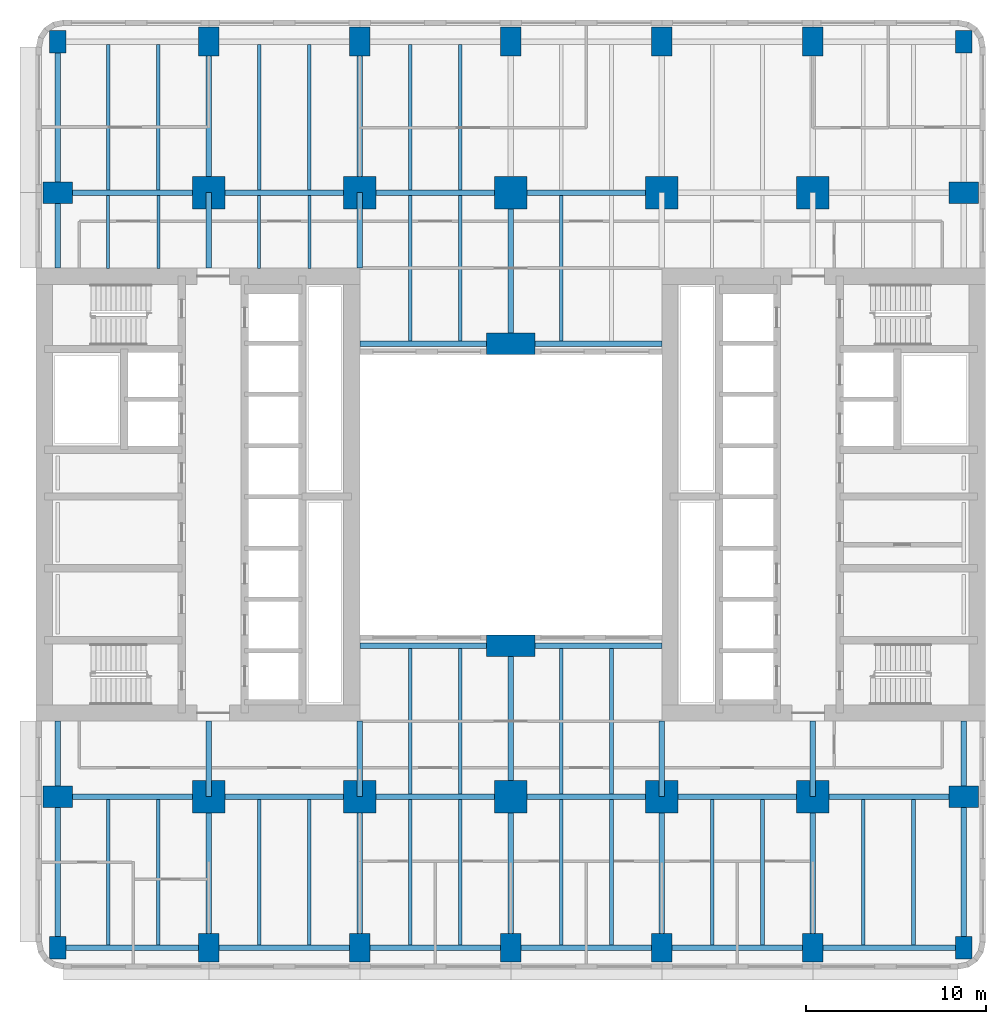
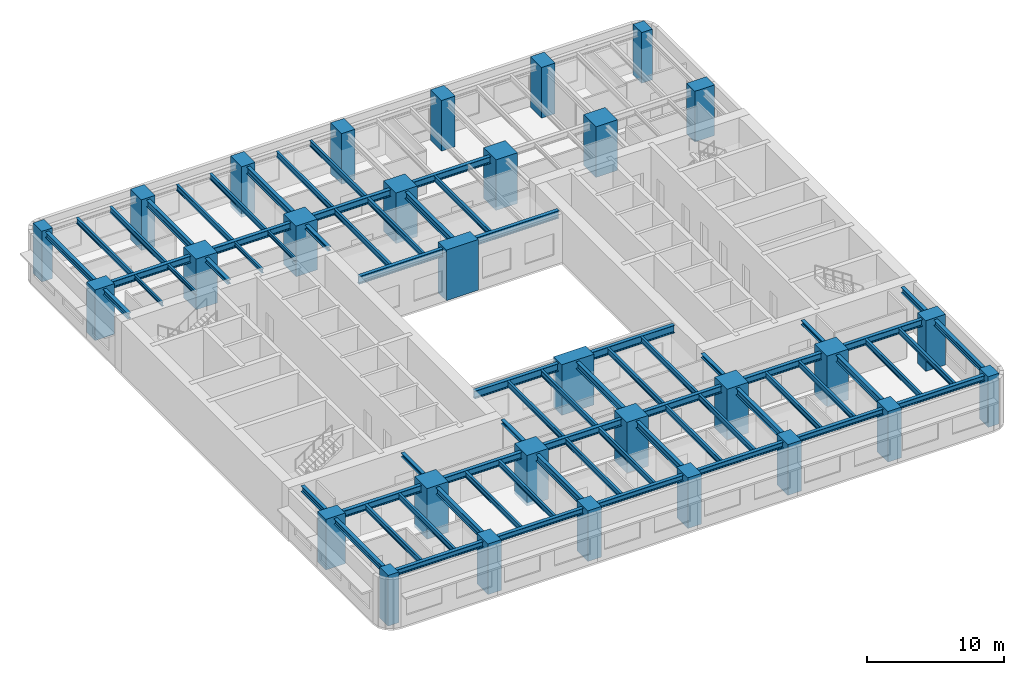
# One storey, part 1 of 12: 70 beams, 30 columns.
"""IFC4 building model written with IfcOpenShell, lengths in metres."""

from ifc_helpers import new_model, si_unit, direction, frame, origin, origin_2d, place, context, subcontext, project, spatial, rectangle, i_section, extrude, material, material_profile, profile_set, type_object, element, save


model = new_model("IFC4")

# Units and contexts
model_context = context("Model", 3, precision=1e-05, world=origin(), true_north=direction((0.0, 1.0)))
body_context = subcontext(model_context, "Body", "Model", "MODEL_VIEW")
ifc_project = project(units=[si_unit("LENGTHUNIT", "METRE"), si_unit("AREAUNIT", "SQUARE_METRE"), si_unit("VOLUMEUNIT", "CUBIC_METRE"), si_unit("PLANEANGLEUNIT", "RADIAN"), si_unit("MASSUNIT", "GRAM", prefix="KILO")], contexts=[model_context])

# Site, building, storey
site_placement = place(None, origin())
site = spatial("IfcSite", under=ifc_project, at=site_placement, CompositionType="ELEMENT")
building_placement = place(site_placement, origin())
building = spatial("IfcBuilding", under=site, at=building_placement, Name="Claustro Exchange Tower", CompositionType="ELEMENT")
storey_placement = place(building_placement, frame((0.0, 0.0, 63.89990234375)))
storey = spatial("IfcBuildingStorey", under=building, at=storey_placement, Name="L14", CompositionType="ELEMENT", Elevation=63.89990234375)

# Columns
ifc_material_1 = material(Name="Concrete HA-70 (C70/85)", Category="concrete")
ifc_material_profile_1 = material_profile(ifc_material_1, rectangle(XDim=1.800048828125, YDim=1.800048828125, at=origin_2d()), Name="RC 1800x1800")
ifc_profile_set_1 = profile_set([ifc_material_profile_1], Name="Concrete HA-70 (C70/85)")
column_type_1 = type_object("IfcColumnType", Name="C14 RC 1800x1800 HA-70 column", PredefinedType="COLUMN", material=ifc_profile_set_1)
for number, where, z_axis, x_axis, name in (
    (1, (8.39990234375, 8.39990234375, 0.0), (0.0, 0.0, 1.0), (1.0, 0.0, 0.0), "Column C14 2/B L14"),
    (2, (8.39990234375, 42.0, 0.0), (0.0, 0.0, 1.0), (1.0, 0.0, 0.0), "Column C14 2/F L14"),
    (3, (16.800048828125, 8.39990234375, 0.0), (0.0, 0.0, 1.0), (1.0, 0.0, 0.0), "Column C14 3/B L14"),
    (4, (16.800048828125, 42.0, 0.0), (0.0, 0.0, 1.0), (1.0, 0.0, 0.0), "Column C14 3/F L14"),
    (5, (25.199951171875, 8.39990234375, 0.0), (0.0, 0.0, 1.0), (1.0, 0.0, 0.0), "Column C14 4/B L14"),
    (6, (25.199951171875, 42.0, 0.0), (0.0, 0.0, 1.0), (1.0, 0.0, 0.0), "Column C14 4/F L14"),
    (7, (33.60009765625, 8.39990234375, 0.0), (0.0, 0.0, 1.0), (1.0, 0.0, 0.0), "Column C14 5/B L14"),
    (8, (33.60009765625, 42.0, 0.0), (0.0, 0.0, 1.0), (1.0, 0.0, 0.0), "Column C14 5/F L14"),
    (9, (42.0, 8.39990234375, 0.0), (0.0, 0.0, 1.0), (1.0, 0.0, 0.0), "Column C14 6/B L14"),
    (10, (42.0, 42.0, 0.0), (0.0, 0.0, 1.0), (1.0, 0.0, 0.0), "Column C14 6/F L14"),
):
    element("IfcColumn", number, at=place(storey_placement, frame(where, z_axis=z_axis, x_axis=x_axis)), inside=storey, type_object=column_type_1, Name=name, PredefinedType="COLUMN", context=body_context, shape_type="SweptSolid", body=[
        extrude(rectangle(XDim=1.800048828125, YDim=1.800048828125, at=origin_2d()), origin(), (0.0, 0.0, 1.0), 4.5),
    ])
ifc_material_2 = material(Name="Concrete HA-70 (C70/85)", Category="concrete")
ifc_material_profile_2 = material_profile(ifc_material_2, rectangle(XDim=1.199951171875, YDim=1.64990234375, at=origin_2d()), Name="RC 1200x1650")
ifc_profile_set_2 = profile_set([ifc_material_profile_2], Name="Concrete HA-70 (C70/85)")
column_type_2 = type_object("IfcColumnType", Name="C19 RC 1200x1650 HA-70 perimeter column", PredefinedType="COLUMN", material=ifc_profile_set_2)
for number, where, z_axis, x_axis, name in (
    (11, (0.0, 8.39990234375, 0.0), (0.0, 0.0, 1.0), (0.0, 1.0, 0.0), "Column C19 1/B L14"),
    (12, (0.0, 42.0, 0.0), (0.0, 0.0, 1.0), (0.0, 1.0, 0.0), "Column C19 1/F L14"),
    (13, (50.39990234375, 8.39990234375, 0.0), (0.0, 0.0, 1.0), (0.0, 1.0, 0.0), "Column C19 7/B L14"),
    (14, (50.39990234375, 42.0, 0.0), (0.0, 0.0, 1.0), (0.0, 1.0, 0.0), "Column C19 7/F L14"),
):
    element("IfcColumn", number, at=place(storey_placement, frame(where, z_axis=z_axis, x_axis=x_axis)), inside=storey, type_object=column_type_2, Name=name, PredefinedType="COLUMN", context=body_context, shape_type="SweptSolid", body=[
        extrude(rectangle(XDim=1.199951171875, YDim=1.64990234375, at=origin_2d()), origin(), (0.0, 0.0, 1.0), 4.5),
    ])
ifc_material_3 = material(Name="Concrete HA-70 (C70/85)", Category="concrete")
ifc_material_profile_3 = material_profile(ifc_material_3, rectangle(XDim=1.14990234375, YDim=1.60009765625, at=origin_2d()), Name="RC 1150x1600")
ifc_profile_set_3 = profile_set([ifc_material_profile_3], Name="Concrete HA-70 (C70/85)")
column_type_3 = type_object("IfcColumnType", Name="C20 RC 1150x1600 HA-70 perimeter column", PredefinedType="COLUMN", material=ifc_profile_set_3)
for number, where, z_axis, x_axis, name in (
    (15, (8.39990234375, 0.0, 0.0), (0.0, 0.0, 1.0), (1.0, 0.0, 0.0), "Column C20 2/A L14"),
    (16, (8.39990234375, 50.39990234375, 0.0), (0.0, 0.0, 1.0), (1.0, 0.0, 0.0), "Column C20 2/G L14"),
    (17, (16.800048828125, 0.0, 0.0), (0.0, 0.0, 1.0), (1.0, 0.0, 0.0), "Column C20 3/A L14"),
    (18, (16.800048828125, 50.39990234375, 0.0), (0.0, 0.0, 1.0), (1.0, 0.0, 0.0), "Column C20 3/G L14"),
    (19, (25.199951171875, 0.0, 0.0), (0.0, 0.0, 1.0), (1.0, 0.0, 0.0), "Column C20 4/A L14"),
    (20, (25.199951171875, 50.39990234375, 0.0), (0.0, 0.0, 1.0), (1.0, 0.0, 0.0), "Column C20 4/G L14"),
    (21, (33.60009765625, 0.0, 0.0), (0.0, 0.0, 1.0), (1.0, 0.0, 0.0), "Column C20 5/A L14"),
    (22, (33.60009765625, 50.39990234375, 0.0), (0.0, 0.0, 1.0), (1.0, 0.0, 0.0), "Column C20 5/G L14"),
    (23, (42.0, 0.0, 0.0), (0.0, 0.0, 1.0), (1.0, 0.0, 0.0), "Column C20 6/A L14"),
    (24, (42.0, 50.39990234375, 0.0), (0.0, 0.0, 1.0), (1.0, 0.0, 0.0), "Column C20 6/G L14"),
):
    element("IfcColumn", number, at=place(storey_placement, frame(where, z_axis=z_axis, x_axis=x_axis)), inside=storey, type_object=column_type_3, Name=name, PredefinedType="COLUMN", context=body_context, shape_type="SweptSolid", body=[
        extrude(rectangle(XDim=1.14990234375, YDim=1.60009765625, at=origin_2d()), origin(), (0.0, 0.0, 1.0), 4.5),
    ])
ifc_material_4 = material(Name="Concrete HA-70 (C70/85)", Category="concrete")
ifc_material_profile_4 = material_profile(ifc_material_4, rectangle(XDim=2.699951171875, YDim=1.199951171875, at=origin_2d()), Name="RC 2700x1200")
ifc_profile_set_4 = profile_set([ifc_material_profile_4], Name="Concrete HA-70 (C70/85)")
column_type_4 = type_object("IfcColumnType", Name="C30 RC 2700x1200 HA-70 light well column", PredefinedType="COLUMN", material=ifc_profile_set_4)
for number, where, z_axis, x_axis, name in (
    (25, (25.199951171875, 16.800048828125, 0.0), (0.0, 0.0, 1.0), (1.0, 0.0, 0.0), "Column C30 4/C L14"),
    (26, (25.199951171875, 33.60009765625, 0.0), (0.0, 0.0, 1.0), (1.0, 0.0, 0.0), "Column C30 4/E L14"),
):
    element("IfcColumn", number, at=place(storey_placement, frame(where, z_axis=z_axis, x_axis=x_axis)), inside=storey, type_object=column_type_4, Name=name, PredefinedType="COLUMN", context=body_context, shape_type="SweptSolid", body=[
        extrude(rectangle(XDim=2.699951171875, YDim=1.199951171875, at=origin_2d()), origin(), (0.0, 0.0, 1.0), 4.5),
    ])
ifc_material_5 = material(Name="Concrete HA-70 (C70/85)", Category="concrete")
ifc_material_profile_5 = material_profile(ifc_material_5, rectangle(XDim=0.89990234375, YDim=1.25, at=origin_2d()), Name="RC 900x1250")
ifc_profile_set_5 = profile_set([ifc_material_profile_5], Name="Concrete HA-70 (C70/85)")
column_type_5 = type_object("IfcColumnType", Name="C35 RC 900x1250 HA-70 corner column", PredefinedType="COLUMN", material=ifc_profile_set_5)
for number, where, z_axis, x_axis, name in (
    (27, (0.0, 0.0, 0.0), (0.0, 0.0, 1.0), (1.0, 0.0, 0.0), "Column C35 1/A L14"),
    (28, (0.0, 50.39990234375, 0.0), (0.0, 0.0, 1.0), (1.0, 0.0, 0.0), "Column C35 1/G L14"),
    (29, (50.39990234375, 0.0, 0.0), (0.0, 0.0, 1.0), (1.0, 0.0, 0.0), "Column C35 7/A L14"),
    (30, (50.39990234375, 50.39990234375, 0.0), (0.0, 0.0, 1.0), (1.0, 0.0, 0.0), "Column C35 7/G L14"),
):
    element("IfcColumn", number, at=place(storey_placement, frame(where, z_axis=z_axis, x_axis=x_axis)), inside=storey, type_object=column_type_5, Name=name, PredefinedType="COLUMN", context=body_context, shape_type="SweptSolid", body=[
        extrude(rectangle(XDim=0.89990234375, YDim=1.25, at=origin_2d()), origin(), (0.0, 0.0, 1.0), 4.5),
    ])

# Beams
ifc_material_6 = material(Name="Steel S355", Category="steel")
ifc_material_profile_6 = material_profile(ifc_material_6, i_section(OverallWidth=0.300048828125, OverallDepth=0.60009765625, WebThickness=0.015380859375, FlangeThickness=0.030029296875, FilletRadius=0.027099609375, at=origin_2d()), Name="HE 600 B")
ifc_profile_set_6 = profile_set([ifc_material_profile_6], Name="Steel S355")
beam_type_1 = type_object("IfcBeamType", Name="B1 HE 600 B floor girder", PredefinedType="BEAM", material=ifc_profile_set_6)
for number, where, z_axis, x_axis, name in (
    (31, (8.39990234375, 0.0, 4.0400390625), (0.0, 1.0, 0.0), (-1.0, 0.0, 0.0), "Beam B1 L15"),
    (32, (8.39990234375, 42.0, 4.0400390625), (0.0, 1.0, 0.0), (-1.0, 0.0, 0.0), "Beam B1 L15"),
    (33, (16.800048828125, 0.0, 4.0400390625), (0.0, 1.0, 0.0), (-1.0, 0.0, 0.0), "Beam B1 L15"),
    (34, (16.800048828125, 42.0, 4.0400390625), (0.0, 1.0, 0.0), (-1.0, 0.0, 0.0), "Beam B1 L15"),
    (35, (25.199951171875, 0.0, 4.0400390625), (0.0, 1.0, 0.0), (-1.0, 0.0, 0.0), "Beam B1 L15"),
):
    element("IfcBeam", number, at=place(storey_placement, frame(where, z_axis=z_axis, x_axis=x_axis)), inside=storey, type_object=beam_type_1, Name=name, PredefinedType="BEAM", context=body_context, shape_type="SweptSolid", body=[
        extrude(i_section(OverallWidth=0.300048828125, OverallDepth=0.60009765625, WebThickness=0.015380859375, FlangeThickness=0.030029296875, FilletRadius=0.027099609375, at=origin_2d()), origin(), (0.0, 0.0, 1.0), 8.39990234375),
    ])
beam_1_placement = place(storey_placement, frame((25.199951171875, 8.39990234375, 4.0400390625), z_axis=(0.0, 1.0, 0.0), x_axis=(-1.0, 0.0, 0.0)))
element("IfcBeam", 36, at=beam_1_placement, inside=storey, type_object=beam_type_1, Name="Beam B1 L15", PredefinedType="BEAM", context=body_context, shape_type="SweptSolid", body=[
    extrude(i_section(OverallWidth=0.300048828125, OverallDepth=0.60009765625, WebThickness=0.015380859375, FlangeThickness=0.030029296875, FilletRadius=0.027099609375, at=origin_2d()), origin(), (0.0, 0.0, 1.0), 8.400146484375),
])
for number, where, z_axis, x_axis, name in (
    (37, (25.199951171875, 33.60009765625, 4.0400390625), (0.0, 1.0, 0.0), (-1.0, 0.0, 0.0), "Beam B1 L15"),
    (38, (33.60009765625, 0.0, 4.0400390625), (0.0, 1.0, 0.0), (-1.0, 0.0, 0.0), "Beam B1 L15"),
    (39, (42.0, 0.0, 4.0400390625), (0.0, 1.0, 0.0), (-1.0, 0.0, 0.0), "Beam B1 L15"),
    (40, (0.0, 8.39990234375, 4.0400390625), (1.0, 0.0, 0.0), (0.0, 1.0, 0.0), "Beam B1 L15"),
):
    element("IfcBeam", number, at=place(storey_placement, frame(where, z_axis=z_axis, x_axis=x_axis)), inside=storey, type_object=beam_type_1, Name=name, PredefinedType="BEAM", context=body_context, shape_type="SweptSolid", body=[
        extrude(i_section(OverallWidth=0.300048828125, OverallDepth=0.60009765625, WebThickness=0.015380859375, FlangeThickness=0.030029296875, FilletRadius=0.027099609375, at=origin_2d()), origin(), (0.0, 0.0, 1.0), 8.39990234375),
    ])
beam_2_placement = place(storey_placement, frame((8.39990234375, 8.39990234375, 4.0400390625), z_axis=(1.0, 0.0, 0.0), x_axis=(0.0, 1.0, 0.0)))
element("IfcBeam", 41, at=beam_2_placement, inside=storey, type_object=beam_type_1, Name="Beam B1 L15", PredefinedType="BEAM", context=body_context, shape_type="SweptSolid", body=[
    extrude(i_section(OverallWidth=0.300048828125, OverallDepth=0.60009765625, WebThickness=0.015380859375, FlangeThickness=0.030029296875, FilletRadius=0.027099609375, at=origin_2d()), origin(), (0.0, 0.0, 1.0), 8.400146484375),
])
beam_3_placement = place(storey_placement, frame((16.800048828125, 8.39990234375, 4.0400390625), z_axis=(1.0, 0.0, 0.0), x_axis=(0.0, 1.0, 0.0)))
element("IfcBeam", 42, at=beam_3_placement, inside=storey, type_object=beam_type_1, Name="Beam B1 L15", PredefinedType="BEAM", context=body_context, shape_type="SweptSolid", body=[
    extrude(i_section(OverallWidth=0.300048828125, OverallDepth=0.60009765625, WebThickness=0.015380859375, FlangeThickness=0.030029296875, FilletRadius=0.027099609375, at=origin_2d()), origin(), (0.0, 0.0, 1.0), 8.39990234375),
])
beam_4_placement = place(storey_placement, frame((25.199951171875, 8.39990234375, 4.0400390625), z_axis=(1.0, 0.0, 0.0), x_axis=(0.0, 1.0, 0.0)))
element("IfcBeam", 43, at=beam_4_placement, inside=storey, type_object=beam_type_1, Name="Beam B1 L15", PredefinedType="BEAM", context=body_context, shape_type="SweptSolid", body=[
    extrude(i_section(OverallWidth=0.300048828125, OverallDepth=0.60009765625, WebThickness=0.015380859375, FlangeThickness=0.030029296875, FilletRadius=0.027099609375, at=origin_2d()), origin(), (0.0, 0.0, 1.0), 8.400146484375),
])
for number, where, z_axis, x_axis, name in (
    (44, (33.60009765625, 8.39990234375, 4.0400390625), (1.0, 0.0, 0.0), (0.0, 1.0, 0.0), "Beam B1 L15"),
    (45, (42.0, 8.39990234375, 4.0400390625), (1.0, 0.0, 0.0), (0.0, 1.0, 0.0), "Beam B1 L15"),
    (46, (0.0, 42.0, 4.0400390625), (1.0, 0.0, 0.0), (0.0, 1.0, 0.0), "Beam B1 L15"),
):
    element("IfcBeam", number, at=place(storey_placement, frame(where, z_axis=z_axis, x_axis=x_axis)), inside=storey, type_object=beam_type_1, Name=name, PredefinedType="BEAM", context=body_context, shape_type="SweptSolid", body=[
        extrude(i_section(OverallWidth=0.300048828125, OverallDepth=0.60009765625, WebThickness=0.015380859375, FlangeThickness=0.030029296875, FilletRadius=0.027099609375, at=origin_2d()), origin(), (0.0, 0.0, 1.0), 8.39990234375),
    ])
beam_5_placement = place(storey_placement, frame((8.39990234375, 42.0, 4.0400390625), z_axis=(1.0, 0.0, 0.0), x_axis=(0.0, 1.0, 0.0)))
element("IfcBeam", 47, at=beam_5_placement, inside=storey, type_object=beam_type_1, Name="Beam B1 L15", PredefinedType="BEAM", context=body_context, shape_type="SweptSolid", body=[
    extrude(i_section(OverallWidth=0.300048828125, OverallDepth=0.60009765625, WebThickness=0.015380859375, FlangeThickness=0.030029296875, FilletRadius=0.027099609375, at=origin_2d()), origin(), (0.0, 0.0, 1.0), 8.400146484375),
])
beam_6_placement = place(storey_placement, frame((16.800048828125, 42.0, 4.0400390625), z_axis=(1.0, 0.0, 0.0), x_axis=(0.0, 1.0, 0.0)))
element("IfcBeam", 48, at=beam_6_placement, inside=storey, type_object=beam_type_1, Name="Beam B1 L15", PredefinedType="BEAM", context=body_context, shape_type="SweptSolid", body=[
    extrude(i_section(OverallWidth=0.300048828125, OverallDepth=0.60009765625, WebThickness=0.015380859375, FlangeThickness=0.030029296875, FilletRadius=0.027099609375, at=origin_2d()), origin(), (0.0, 0.0, 1.0), 8.39990234375),
])
beam_7_placement = place(storey_placement, frame((25.199951171875, 42.0, 4.0400390625), z_axis=(1.0, 0.0, 0.0), x_axis=(0.0, 1.0, 0.0)))
element("IfcBeam", 49, at=beam_7_placement, inside=storey, type_object=beam_type_1, Name="Beam B1 L15", PredefinedType="BEAM", context=body_context, shape_type="SweptSolid", body=[
    extrude(i_section(OverallWidth=0.300048828125, OverallDepth=0.60009765625, WebThickness=0.015380859375, FlangeThickness=0.030029296875, FilletRadius=0.027099609375, at=origin_2d()), origin(), (0.0, 0.0, 1.0), 8.400146484375),
])
ifc_material_7 = material(Name="Steel S355", Category="steel")
ifc_material_profile_7 = material_profile(ifc_material_7, i_section(OverallWidth=0.300048828125, OverallDepth=0.68994140625, WebThickness=0.014404296875, FlangeThickness=0.027099609375, FilletRadius=0.027099609375, at=origin_2d()), Name="HE 700 A")
ifc_profile_set_7 = profile_set([ifc_material_profile_7], Name="Steel S355")
beam_type_2 = type_object("IfcBeamType", Name="B13 HE 700 A light well edge girder", PredefinedType="BEAM", material=ifc_profile_set_7)
beam_8_placement = place(storey_placement, frame((16.800048828125, 16.800048828125, 3.9951171875), z_axis=(1.0, 0.0, 0.0), x_axis=(0.0, 1.0, 0.0)))
element("IfcBeam", 50, at=beam_8_placement, inside=storey, type_object=beam_type_2, Name="Beam B13 L15", PredefinedType="BEAM", context=body_context, shape_type="SweptSolid", body=[
    extrude(i_section(OverallWidth=0.300048828125, OverallDepth=0.68994140625, WebThickness=0.014404296875, FlangeThickness=0.027099609375, FilletRadius=0.027099609375, at=origin_2d()), origin(), (0.0, 0.0, 1.0), 8.39990234375),
])
beam_9_placement = place(storey_placement, frame((25.199951171875, 16.800048828125, 3.9951171875), z_axis=(1.0, 0.0, 0.0), x_axis=(0.0, 1.0, 0.0)))
element("IfcBeam", 51, at=beam_9_placement, inside=storey, type_object=beam_type_2, Name="Beam B13 L15", PredefinedType="BEAM", context=body_context, shape_type="SweptSolid", body=[
    extrude(i_section(OverallWidth=0.300048828125, OverallDepth=0.68994140625, WebThickness=0.014404296875, FlangeThickness=0.027099609375, FilletRadius=0.027099609375, at=origin_2d()), origin(), (0.0, 0.0, 1.0), 8.400146484375),
])
beam_10_placement = place(storey_placement, frame((16.800048828125, 33.60009765625, 3.9951171875), z_axis=(1.0, 0.0, 0.0), x_axis=(0.0, 1.0, 0.0)))
element("IfcBeam", 52, at=beam_10_placement, inside=storey, type_object=beam_type_2, Name="Beam B13 L15", PredefinedType="BEAM", context=body_context, shape_type="SweptSolid", body=[
    extrude(i_section(OverallWidth=0.300048828125, OverallDepth=0.68994140625, WebThickness=0.014404296875, FlangeThickness=0.027099609375, FilletRadius=0.027099609375, at=origin_2d()), origin(), (0.0, 0.0, 1.0), 8.39990234375),
])
beam_11_placement = place(storey_placement, frame((25.199951171875, 33.60009765625, 3.9951171875), z_axis=(1.0, 0.0, 0.0), x_axis=(0.0, 1.0, 0.0)))
element("IfcBeam", 53, at=beam_11_placement, inside=storey, type_object=beam_type_2, Name="Beam B13 L15", PredefinedType="BEAM", context=body_context, shape_type="SweptSolid", body=[
    extrude(i_section(OverallWidth=0.300048828125, OverallDepth=0.68994140625, WebThickness=0.014404296875, FlangeThickness=0.027099609375, FilletRadius=0.027099609375, at=origin_2d()), origin(), (0.0, 0.0, 1.0), 8.400146484375),
])
ifc_material_8 = material(Name="Steel S355", Category="steel")
ifc_material_profile_8 = material_profile(ifc_material_8, i_section(OverallWidth=0.169921875, OverallDepth=0.360107421875, WebThickness=0.008056640625, FlangeThickness=0.0126953125, FilletRadius=0.01806640625, at=origin_2d()), Name="IPE 360")
ifc_profile_set_8 = profile_set([ifc_material_profile_8], Name="Steel S355")
beam_type_3 = type_object("IfcBeamType", Name="B16 IPE 360 short-span beam", PredefinedType="BEAM", material=ifc_profile_set_8)
for number, where, z_axis, x_axis, name in (
    (54, (2.800048828125, 37.7900390625, 4.16015625), (0.0, 1.0, 0.0), (-1.0, 0.0, 0.0), "Beam B16 L15"),
    (55, (5.60009765625, 37.7900390625, 4.16015625), (0.0, 1.0, 0.0), (-1.0, 0.0, 0.0), "Beam B16 L15"),
    (56, (11.199951171875, 37.7900390625, 4.16015625), (0.0, 1.0, 0.0), (-1.0, 0.0, 0.0), "Beam B16 L15"),
    (57, (14.0, 37.7900390625, 4.16015625), (0.0, 1.0, 0.0), (-1.0, 0.0, 0.0), "Beam B16 L15"),
):
    element("IfcBeam", number, at=place(storey_placement, frame(where, z_axis=z_axis, x_axis=x_axis)), inside=storey, type_object=beam_type_3, Name=name, PredefinedType="BEAM", context=body_context, shape_type="SweptSolid", body=[
        extrude(i_section(OverallWidth=0.169921875, OverallDepth=0.360107421875, WebThickness=0.008056640625, FlangeThickness=0.0126953125, FilletRadius=0.01806640625, at=origin_2d()), origin(), (0.0, 0.0, 1.0), 4.06005859375),
    ])
ifc_material_9 = material(Name="Steel S355", Category="steel")
ifc_material_profile_9 = material_profile(ifc_material_9, i_section(OverallWidth=0.199951171875, OverallDepth=0.5, WebThickness=0.01025390625, FlangeThickness=0.01611328125, FilletRadius=0.02099609375, at=origin_2d()), Name="IPE 500")
ifc_profile_set_9 = profile_set([ifc_material_profile_9], Name="Steel S355")
beam_type_4 = type_object("IfcBeamType", Name="B2 IPE 500 secondary beam", PredefinedType="BEAM", material=ifc_profile_set_9)
for number, where, z_axis, x_axis, name in (
    (58, (2.800048828125, 0.14990234375, 4.090087890625), (0.0, 1.0, 0.0), (-1.0, 0.0, 0.0), "Beam B2 L15"),
    (59, (5.60009765625, 0.14990234375, 4.090087890625), (0.0, 1.0, 0.0), (-1.0, 0.0, 0.0), "Beam B2 L15"),
    (60, (2.800048828125, 42.14990234375, 4.090087890625), (0.0, 1.0, 0.0), (-1.0, 0.0, 0.0), "Beam B2 L15"),
    (61, (5.60009765625, 42.14990234375, 4.090087890625), (0.0, 1.0, 0.0), (-1.0, 0.0, 0.0), "Beam B2 L15"),
    (62, (11.199951171875, 0.14990234375, 4.090087890625), (0.0, 1.0, 0.0), (-1.0, 0.0, 0.0), "Beam B2 L15"),
    (63, (14.0, 0.14990234375, 4.090087890625), (0.0, 1.0, 0.0), (-1.0, 0.0, 0.0), "Beam B2 L15"),
    (64, (11.199951171875, 42.14990234375, 4.090087890625), (0.0, 1.0, 0.0), (-1.0, 0.0, 0.0), "Beam B2 L15"),
    (65, (14.0, 42.14990234375, 4.090087890625), (0.0, 1.0, 0.0), (-1.0, 0.0, 0.0), "Beam B2 L15"),
    (66, (19.60009765625, 0.14990234375, 4.090087890625), (0.0, 1.0, 0.0), (-1.0, 0.0, 0.0), "Beam B2 L15"),
    (67, (22.39990234375, 0.14990234375, 4.090087890625), (0.0, 1.0, 0.0), (-1.0, 0.0, 0.0), "Beam B2 L15"),
):
    element("IfcBeam", number, at=place(storey_placement, frame(where, z_axis=z_axis, x_axis=x_axis)), inside=storey, type_object=beam_type_4, Name=name, PredefinedType="BEAM", context=body_context, shape_type="SweptSolid", body=[
        extrude(i_section(OverallWidth=0.199951171875, OverallDepth=0.5, WebThickness=0.01025390625, FlangeThickness=0.01611328125, FilletRadius=0.02099609375, at=origin_2d()), origin(), (0.0, 0.0, 1.0), 8.10009765625),
    ])
for number, where, z_axis, x_axis, name in (
    (68, (19.60009765625, 8.550048828125, 4.090087890625), (0.0, 1.0, 0.0), (-1.0, 0.0, 0.0), "Beam B2 L15"),
    (69, (22.39990234375, 8.550048828125, 4.090087890625), (0.0, 1.0, 0.0), (-1.0, 0.0, 0.0), "Beam B2 L15"),
):
    element("IfcBeam", number, at=place(storey_placement, frame(where, z_axis=z_axis, x_axis=x_axis)), inside=storey, type_object=beam_type_4, Name=name, PredefinedType="BEAM", context=body_context, shape_type="SweptSolid", body=[
        extrude(i_section(OverallWidth=0.199951171875, OverallDepth=0.5, WebThickness=0.01025390625, FlangeThickness=0.01611328125, FilletRadius=0.02099609375, at=origin_2d()), origin(), (0.0, 0.0, 1.0), 8.099853515625),
    ])
for number, where, z_axis, x_axis, name in (
    (70, (19.60009765625, 33.75, 4.090087890625), (0.0, 1.0, 0.0), (-1.0, 0.0, 0.0), "Beam B2 L15"),
    (71, (22.39990234375, 33.75, 4.090087890625), (0.0, 1.0, 0.0), (-1.0, 0.0, 0.0), "Beam B2 L15"),
    (72, (19.60009765625, 42.14990234375, 4.090087890625), (0.0, 1.0, 0.0), (-1.0, 0.0, 0.0), "Beam B2 L15"),
    (73, (22.39990234375, 42.14990234375, 4.090087890625), (0.0, 1.0, 0.0), (-1.0, 0.0, 0.0), "Beam B2 L15"),
    (74, (28.0, 0.14990234375, 4.090087890625), (0.0, 1.0, 0.0), (-1.0, 0.0, 0.0), "Beam B2 L15"),
    (75, (30.800048828125, 0.14990234375, 4.090087890625), (0.0, 1.0, 0.0), (-1.0, 0.0, 0.0), "Beam B2 L15"),
):
    element("IfcBeam", number, at=place(storey_placement, frame(where, z_axis=z_axis, x_axis=x_axis)), inside=storey, type_object=beam_type_4, Name=name, PredefinedType="BEAM", context=body_context, shape_type="SweptSolid", body=[
        extrude(i_section(OverallWidth=0.199951171875, OverallDepth=0.5, WebThickness=0.01025390625, FlangeThickness=0.01611328125, FilletRadius=0.02099609375, at=origin_2d()), origin(), (0.0, 0.0, 1.0), 8.10009765625),
    ])
for number, where, z_axis, x_axis, name in (
    (76, (28.0, 8.550048828125, 4.090087890625), (0.0, 1.0, 0.0), (-1.0, 0.0, 0.0), "Beam B2 L15"),
    (77, (30.800048828125, 8.550048828125, 4.090087890625), (0.0, 1.0, 0.0), (-1.0, 0.0, 0.0), "Beam B2 L15"),
):
    element("IfcBeam", number, at=place(storey_placement, frame(where, z_axis=z_axis, x_axis=x_axis)), inside=storey, type_object=beam_type_4, Name=name, PredefinedType="BEAM", context=body_context, shape_type="SweptSolid", body=[
        extrude(i_section(OverallWidth=0.199951171875, OverallDepth=0.5, WebThickness=0.01025390625, FlangeThickness=0.01611328125, FilletRadius=0.02099609375, at=origin_2d()), origin(), (0.0, 0.0, 1.0), 8.099853515625),
    ])
for number, where, z_axis, x_axis, name in (
    (78, (28.0, 33.75, 4.090087890625), (0.0, 1.0, 0.0), (-1.0, 0.0, 0.0), "Beam B2 L15"),
    (79, (36.39990234375, 0.14990234375, 4.090087890625), (0.0, 1.0, 0.0), (-1.0, 0.0, 0.0), "Beam B2 L15"),
    (80, (39.199951171875, 0.14990234375, 4.090087890625), (0.0, 1.0, 0.0), (-1.0, 0.0, 0.0), "Beam B2 L15"),
    (81, (44.800048828125, 0.14990234375, 4.090087890625), (0.0, 1.0, 0.0), (-1.0, 0.0, 0.0), "Beam B2 L15"),
    (82, (47.60009765625, 0.14990234375, 4.090087890625), (0.0, 1.0, 0.0), (-1.0, 0.0, 0.0), "Beam B2 L15"),
):
    element("IfcBeam", number, at=place(storey_placement, frame(where, z_axis=z_axis, x_axis=x_axis)), inside=storey, type_object=beam_type_4, Name=name, PredefinedType="BEAM", context=body_context, shape_type="SweptSolid", body=[
        extrude(i_section(OverallWidth=0.199951171875, OverallDepth=0.5, WebThickness=0.01025390625, FlangeThickness=0.01611328125, FilletRadius=0.02099609375, at=origin_2d()), origin(), (0.0, 0.0, 1.0), 8.10009765625),
    ])
ifc_material_10 = material(Name="Steel S355", Category="steel")
ifc_material_profile_10 = material_profile(ifc_material_10, i_section(OverallWidth=0.300048828125, OverallDepth=0.360107421875, WebThickness=0.012451171875, FlangeThickness=0.0224609375, FilletRadius=0.027099609375, at=origin_2d()), Name="HE 360 B")
ifc_profile_set_10 = profile_set([ifc_material_profile_10], Name="Steel S355")
beam_type_5 = type_object("IfcBeamType", Name="B29 HE 360 B column to core link beam", PredefinedType="BEAM", material=ifc_profile_set_10)
beam_12_placement = place(storey_placement, frame((8.39990234375, 8.39990234375, 4.16015625), z_axis=(0.0, 1.0, 0.0), x_axis=(-1.0, 0.0, 0.0)))
element("IfcBeam", 83, at=beam_12_placement, inside=storey, type_object=beam_type_5, Name="Beam B29 L15", PredefinedType="BEAM", context=body_context, shape_type="SweptSolid", body=[
    extrude(i_section(OverallWidth=0.300048828125, OverallDepth=0.360107421875, WebThickness=0.012451171875, FlangeThickness=0.0224609375, FilletRadius=0.027099609375, at=origin_2d()), origin(), (0.0, 0.0, 1.0), 4.2001953125),
])
beam_13_placement = place(storey_placement, frame((8.39990234375, 37.800048828125, 4.16015625), z_axis=(0.0, 1.0, 0.0), x_axis=(-1.0, 0.0, 0.0)))
element("IfcBeam", 84, at=beam_13_placement, inside=storey, type_object=beam_type_5, Name="Beam B29 L15", PredefinedType="BEAM", context=body_context, shape_type="SweptSolid", body=[
    extrude(i_section(OverallWidth=0.300048828125, OverallDepth=0.360107421875, WebThickness=0.012451171875, FlangeThickness=0.0224609375, FilletRadius=0.027099609375, at=origin_2d()), origin(), (0.0, 0.0, 1.0), 4.199951171875),
])
beam_14_placement = place(storey_placement, frame((16.800048828125, 8.39990234375, 4.16015625), z_axis=(0.0, 1.0, 0.0), x_axis=(-1.0, 0.0, 0.0)))
element("IfcBeam", 85, at=beam_14_placement, inside=storey, type_object=beam_type_5, Name="Beam B29 L15", PredefinedType="BEAM", context=body_context, shape_type="SweptSolid", body=[
    extrude(i_section(OverallWidth=0.300048828125, OverallDepth=0.360107421875, WebThickness=0.012451171875, FlangeThickness=0.0224609375, FilletRadius=0.027099609375, at=origin_2d()), origin(), (0.0, 0.0, 1.0), 4.2001953125),
])
beam_15_placement = place(storey_placement, frame((16.800048828125, 37.800048828125, 4.16015625), z_axis=(0.0, 1.0, 0.0), x_axis=(-1.0, 0.0, 0.0)))
element("IfcBeam", 86, at=beam_15_placement, inside=storey, type_object=beam_type_5, Name="Beam B29 L15", PredefinedType="BEAM", context=body_context, shape_type="SweptSolid", body=[
    extrude(i_section(OverallWidth=0.300048828125, OverallDepth=0.360107421875, WebThickness=0.012451171875, FlangeThickness=0.0224609375, FilletRadius=0.027099609375, at=origin_2d()), origin(), (0.0, 0.0, 1.0), 4.199951171875),
])
for number, where, z_axis, x_axis, name in (
    (87, (33.60009765625, 8.39990234375, 4.16015625), (0.0, 1.0, 0.0), (-1.0, 0.0, 0.0), "Beam B29 L15"),
    (88, (42.0, 8.39990234375, 4.16015625), (0.0, 1.0, 0.0), (-1.0, 0.0, 0.0), "Beam B29 L15"),
):
    element("IfcBeam", number, at=place(storey_placement, frame(where, z_axis=z_axis, x_axis=x_axis)), inside=storey, type_object=beam_type_5, Name=name, PredefinedType="BEAM", context=body_context, shape_type="SweptSolid", body=[
        extrude(i_section(OverallWidth=0.300048828125, OverallDepth=0.360107421875, WebThickness=0.012451171875, FlangeThickness=0.0224609375, FilletRadius=0.027099609375, at=origin_2d()), origin(), (0.0, 0.0, 1.0), 4.2001953125),
    ])
ifc_material_11 = material(Name="Steel S355", Category="steel")
ifc_material_profile_11 = material_profile(ifc_material_11, i_section(OverallWidth=0.300048828125, OverallDepth=0.5, WebThickness=0.014404296875, FlangeThickness=0.028076171875, FilletRadius=0.027099609375, at=origin_2d()), Name="HE 500 B")
ifc_profile_set_11 = profile_set([ifc_material_profile_11], Name="Steel S355")
beam_type_6 = type_object("IfcBeamType", Name="B3 HE 500 B spandrel edge girder", PredefinedType="SPANDREL", material=ifc_profile_set_11)
beam_16_placement = place(storey_placement, frame((0.0, 0.0, 4.090087890625), z_axis=(0.0, 1.0, 0.0), x_axis=(-1.0, 0.0, 0.0)))
element("IfcBeam", 89, at=beam_16_placement, inside=storey, type_object=beam_type_6, Name="Beam B3 L15", PredefinedType="SPANDREL", context=body_context, shape_type="SweptSolid", body=[
    extrude(i_section(OverallWidth=0.300048828125, OverallDepth=0.5, WebThickness=0.014404296875, FlangeThickness=0.028076171875, FilletRadius=0.027099609375, at=origin_2d()), origin(), (0.0, 0.0, 1.0), 8.39990234375),
])
beam_17_placement = place(storey_placement, frame((0.0, 8.39990234375, 4.090087890625), z_axis=(0.0, 1.0, 0.0), x_axis=(-1.0, 0.0, 0.0)))
element("IfcBeam", 90, at=beam_17_placement, inside=storey, type_object=beam_type_6, Name="Beam B3 L15", PredefinedType="SPANDREL", context=body_context, shape_type="SweptSolid", body=[
    extrude(i_section(OverallWidth=0.300048828125, OverallDepth=0.5, WebThickness=0.014404296875, FlangeThickness=0.028076171875, FilletRadius=0.027099609375, at=origin_2d()), origin(), (0.0, 0.0, 1.0), 4.2001953125),
])
beam_18_placement = place(storey_placement, frame((0.0, 37.800048828125, 4.090087890625), z_axis=(0.0, 1.0, 0.0), x_axis=(-1.0, 0.0, 0.0)))
element("IfcBeam", 91, at=beam_18_placement, inside=storey, type_object=beam_type_6, Name="Beam B3 L15", PredefinedType="SPANDREL", context=body_context, shape_type="SweptSolid", body=[
    extrude(i_section(OverallWidth=0.300048828125, OverallDepth=0.5, WebThickness=0.014404296875, FlangeThickness=0.028076171875, FilletRadius=0.027099609375, at=origin_2d()), origin(), (0.0, 0.0, 1.0), 4.199951171875),
])
for number, where, z_axis, x_axis, name in (
    (92, (0.0, 42.0, 4.090087890625), (0.0, 1.0, 0.0), (-1.0, 0.0, 0.0), "Beam B3 L15"),
    (93, (50.39990234375, 0.0, 4.090087890625), (0.0, 1.0, 0.0), (-1.0, 0.0, 0.0), "Beam B3 L15"),
):
    element("IfcBeam", number, at=place(storey_placement, frame(where, z_axis=z_axis, x_axis=x_axis)), inside=storey, type_object=beam_type_6, Name=name, PredefinedType="SPANDREL", context=body_context, shape_type="SweptSolid", body=[
        extrude(i_section(OverallWidth=0.300048828125, OverallDepth=0.5, WebThickness=0.014404296875, FlangeThickness=0.028076171875, FilletRadius=0.027099609375, at=origin_2d()), origin(), (0.0, 0.0, 1.0), 8.39990234375),
    ])
beam_19_placement = place(storey_placement, frame((50.39990234375, 8.39990234375, 4.090087890625), z_axis=(0.0, 1.0, 0.0), x_axis=(-1.0, 0.0, 0.0)))
element("IfcBeam", 94, at=beam_19_placement, inside=storey, type_object=beam_type_6, Name="Beam B3 L15", PredefinedType="SPANDREL", context=body_context, shape_type="SweptSolid", body=[
    extrude(i_section(OverallWidth=0.300048828125, OverallDepth=0.5, WebThickness=0.014404296875, FlangeThickness=0.028076171875, FilletRadius=0.027099609375, at=origin_2d()), origin(), (0.0, 0.0, 1.0), 4.2001953125),
])
beam_20_placement = place(storey_placement, frame((0.0, 0.0, 4.090087890625), z_axis=(1.0, 0.0, 0.0), x_axis=(0.0, 1.0, 0.0)))
element("IfcBeam", 95, at=beam_20_placement, inside=storey, type_object=beam_type_6, Name="Beam B3 L15", PredefinedType="SPANDREL", context=body_context, shape_type="SweptSolid", body=[
    extrude(i_section(OverallWidth=0.300048828125, OverallDepth=0.5, WebThickness=0.014404296875, FlangeThickness=0.028076171875, FilletRadius=0.027099609375, at=origin_2d()), origin(), (0.0, 0.0, 1.0), 8.39990234375),
])
beam_21_placement = place(storey_placement, frame((8.39990234375, 0.0, 4.090087890625), z_axis=(1.0, 0.0, 0.0), x_axis=(0.0, 1.0, 0.0)))
element("IfcBeam", 96, at=beam_21_placement, inside=storey, type_object=beam_type_6, Name="Beam B3 L15", PredefinedType="SPANDREL", context=body_context, shape_type="SweptSolid", body=[
    extrude(i_section(OverallWidth=0.300048828125, OverallDepth=0.5, WebThickness=0.014404296875, FlangeThickness=0.028076171875, FilletRadius=0.027099609375, at=origin_2d()), origin(), (0.0, 0.0, 1.0), 8.400146484375),
])
beam_22_placement = place(storey_placement, frame((16.800048828125, 0.0, 4.090087890625), z_axis=(1.0, 0.0, 0.0), x_axis=(0.0, 1.0, 0.0)))
element("IfcBeam", 97, at=beam_22_placement, inside=storey, type_object=beam_type_6, Name="Beam B3 L15", PredefinedType="SPANDREL", context=body_context, shape_type="SweptSolid", body=[
    extrude(i_section(OverallWidth=0.300048828125, OverallDepth=0.5, WebThickness=0.014404296875, FlangeThickness=0.028076171875, FilletRadius=0.027099609375, at=origin_2d()), origin(), (0.0, 0.0, 1.0), 8.39990234375),
])
beam_23_placement = place(storey_placement, frame((25.199951171875, 0.0, 4.090087890625), z_axis=(1.0, 0.0, 0.0), x_axis=(0.0, 1.0, 0.0)))
element("IfcBeam", 98, at=beam_23_placement, inside=storey, type_object=beam_type_6, Name="Beam B3 L15", PredefinedType="SPANDREL", context=body_context, shape_type="SweptSolid", body=[
    extrude(i_section(OverallWidth=0.300048828125, OverallDepth=0.5, WebThickness=0.014404296875, FlangeThickness=0.028076171875, FilletRadius=0.027099609375, at=origin_2d()), origin(), (0.0, 0.0, 1.0), 8.400146484375),
])
for number, where, z_axis, x_axis, name in (
    (99, (33.60009765625, 0.0, 4.090087890625), (1.0, 0.0, 0.0), (0.0, 1.0, 0.0), "Beam B3 L15"),
    (100, (42.0, 0.0, 4.090087890625), (1.0, 0.0, 0.0), (0.0, 1.0, 0.0), "Beam B3 L15"),
):
    element("IfcBeam", number, at=place(storey_placement, frame(where, z_axis=z_axis, x_axis=x_axis)), inside=storey, type_object=beam_type_6, Name=name, PredefinedType="SPANDREL", context=body_context, shape_type="SweptSolid", body=[
        extrude(i_section(OverallWidth=0.300048828125, OverallDepth=0.5, WebThickness=0.014404296875, FlangeThickness=0.028076171875, FilletRadius=0.027099609375, at=origin_2d()), origin(), (0.0, 0.0, 1.0), 8.39990234375),
    ])

save(model, "model.ifc")
